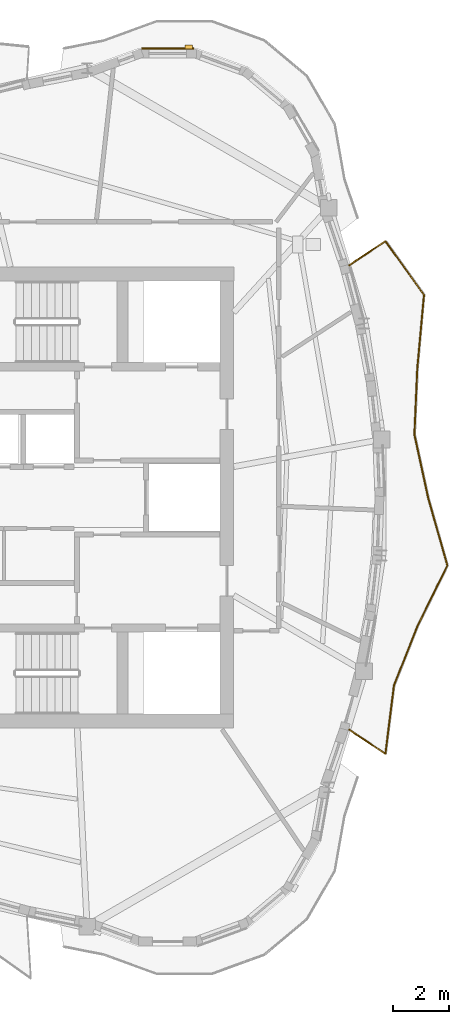
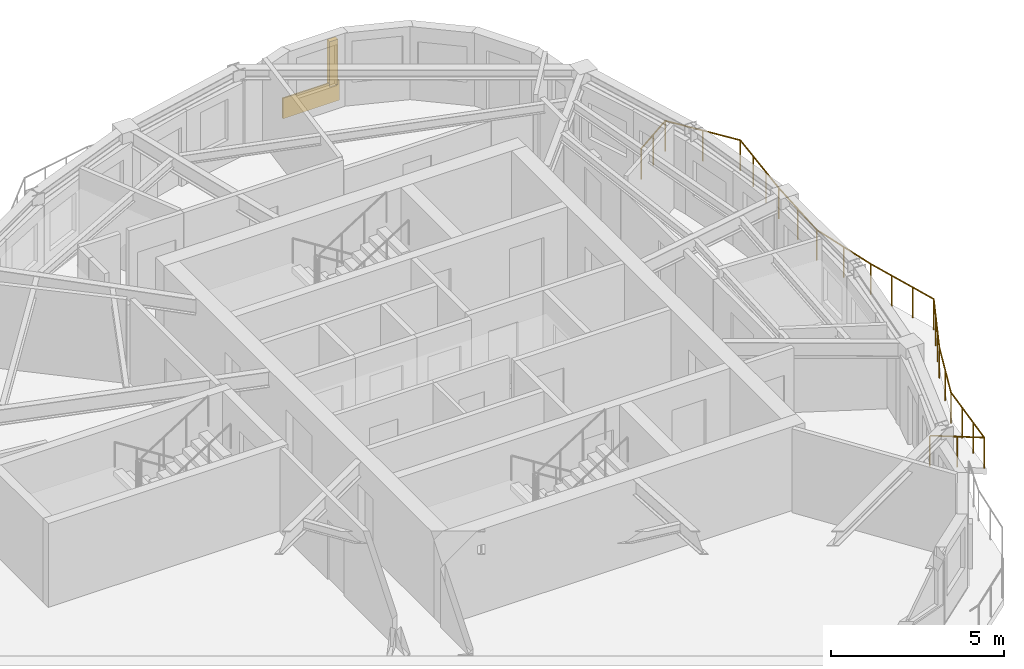
# One storey, part 11 of 12: 1 covering, 1 railing, 1 shading device.
"""IFC4 building model written with IfcOpenShell, lengths in metres."""

from ifc_helpers import new_model, si_unit, direction, frame, origin, origin_2d, place, context, subcontext, project, spatial, rectangle, circle, extrude, source, transform, mapped, material, layer, layer_set, type_object, element, save


model = new_model("IFC4")

# Units and contexts
model_context = context("Model", 3, precision=1e-05, world=origin(), true_north=direction((0.0, 1.0)))
body_context = subcontext(model_context, "Body", "Model", "MODEL_VIEW")
ifc_project = project(units=[si_unit("LENGTHUNIT", "METRE"), si_unit("AREAUNIT", "SQUARE_METRE"), si_unit("VOLUMEUNIT", "CUBIC_METRE"), si_unit("PLANEANGLEUNIT", "RADIAN"), si_unit("MASSUNIT", "GRAM", prefix="KILO")], contexts=[model_context])

# Site, building, storey
site_placement = place(None, origin())
site = spatial("IfcSite", under=ifc_project, at=site_placement, CompositionType="ELEMENT")
building_placement = place(site_placement, origin())
building = spatial("IfcBuilding", under=site, at=building_placement, Name="Qafzar Sky-Pleat Residences", CompositionType="ELEMENT")
storey_placement = place(building_placement, frame((0.0, 0.0, 224.39990234375)))
storey = spatial("IfcBuildingStorey", under=building, at=storey_placement, Name="L67", CompositionType="ELEMENT", Elevation=224.39990234375)

# Shading device
ifc_material_1 = material(Name="Honed Riyadh limestone solar fin", Category="masonry")
ifc_layer_1 = layer(ifc_material_1, 0.139892578125)
ifc_layer_set_1 = layer_set([ifc_layer_1], Name="Honed Riyadh limestone solar fin")
shading_device_type = type_object("IfcShadingDeviceType", Name="SHD-FIN-STONE", PredefinedType="SHUTTER", material=ifc_layer_set_1)
shared_shape_1 = source(origin(), body_context, "Body", "SweptSolid", [
    extrude(rectangle(XDim=0.139892578125, YDim=0.280029296875, at=origin_2d()), origin(), (0.0, 0.0, 1.0), 1.60009765625),
])
shading_device_placement = place(storey_placement, frame((34.777587890625, 42.208251953125, 0.60009765625), z_axis=(0.0, 0.0, 1.0), x_axis=(0.0, 1.0, 0.0)))
element("IfcShadingDevice", 1, at=shading_device_placement, inside=storey, type_object=shading_device_type, Name="L67 Limestone Solar Fin 37", PredefinedType="SHUTTER", context=body_context, shape_type="MappedRepresentation", body=[
    mapped(shared_shape_1, transform((0.0, 0.0, 0.0), x_axis=(1.0, 0.0, 0.0), y_axis=(0.0, 1.0, 0.0), z_axis=(0.0, 0.0, 1.0), scale=1.0)),
])

# Covering
ifc_material_2 = material(Name="Honed Riyadh Tuwaiq limestone cladding", Category="masonry")
ifc_layer_2 = layer(ifc_material_2, 0.044921875)
ifc_layer_set_2 = layer_set([ifc_layer_2], Name="Honed Riyadh Tuwaiq limestone cladding")
covering_type = type_object("IfcCoveringType", Name="COV-CLAD-STONE", PredefinedType="CLADDING", material=ifc_layer_set_2)
shared_shape_2 = source(origin(), body_context, "Body", "SweptSolid", [
    extrude(rectangle(XDim=1.88134765625, YDim=0.044921875, at=origin_2d()), origin(), (0.0, 0.0, 1.0), 0.719970703125),
])
covering_placement = place(storey_placement, frame((34.0224609375, 42.165283203125, 0.02001953125), z_axis=(0.0, 0.0, 1.0), x_axis=(-1.0, 0.0, 0.0)))
element("IfcCovering", 2, at=covering_placement, inside=storey, type_object=covering_type, Name="L67 Riyadh Limestone Spandrel Cladding 37", PredefinedType="CLADDING", context=body_context, shape_type="MappedRepresentation", body=[
    mapped(shared_shape_2, transform((0.0, 0.0, 0.0), x_axis=(1.0, 0.0, 0.0), y_axis=(0.0, 1.0, 0.0), z_axis=(0.0, 0.0, 1.0), scale=1.0)),
])

# Railing
ifc_material_3 = material(Name="Laminated glass and bronze steel balustrade", Category="steel")
railing_type = type_object("IfcRailingType", Name="RAIL-BAL-1100", PredefinedType="BALUSTRADE", material=ifc_material_3)
shared_shape_3 = source(origin(), body_context, "Body", "SweptSolid", [
    extrude(circle(Radius=0.02392578125, at=origin_2d()), frame((0.0, 0.0, 1.076171875), z_axis=(0.832430893793, -0.554128872248, 0.0), x_axis=(0.554128872248, 0.832430893793, 0.0)), (0.0, 0.0, 1.0), 1.578125),
    extrude(circle(Radius=0.02392578125, at=origin_2d()), frame((1.313720703125, -0.87451171875, 1.076171875), z_axis=(0.123317747396, 0.992367237053, 0.0), x_axis=(-0.992367237053, 0.123317747396, 0.0)), (0.0, 0.0, 1.0), 2.47265625),
    extrude(circle(Radius=0.02392578125, at=origin_2d()), frame((1.61865234375, 1.579345703125, 1.076171875), z_axis=(0.367564550972, 0.929998011218, 0.0), x_axis=(-0.929998011218, 0.367564550972, 0.0)), (0.0, 0.0, 1.0), 2.290283203125),
    extrude(circle(Radius=0.02392578125, at=origin_2d()), frame((2.46044921875, 3.709228515625, 1.076171875), z_axis=(0.441781559588, 0.897122652488, 0.0), x_axis=(-0.897122652488, 0.441781559588, 0.0)), (0.0, 0.0, 1.0), 2.44873046875),
    extrude(circle(Radius=0.02392578125, at=origin_2d()), frame((3.542236328125, 5.906005859375, 1.076171875), z_axis=(-0.272944830922, 0.962029687314, 0.0), x_axis=(-0.962029687314, -0.272944830922, 0.0)), (0.0, 0.0, 1.0), 2.5419921875),
    extrude(circle(Radius=0.02392578125, at=origin_2d()), frame((2.848388671875, 8.3515625, 1.076171875), z_axis=(-0.212534582308, 0.977153545418, 0.0), x_axis=(-0.977153545418, -0.212534582308, 0.0)), (0.0, 0.0, 1.0), 2.318115234375),
    extrude(circle(Radius=0.02392578125, at=origin_2d()), frame((2.355712890625, 10.61669921875, 1.076171875), z_axis=(0.044016044327, 0.99903082427, 0.0), x_axis=(-0.99903082427, 0.044016044327, 0.0)), (0.0, 0.0, 1.0), 2.37939453125),
    extrude(circle(Radius=0.02392578125, at=origin_2d()), frame((2.46044921875, 12.993896484375, 1.076171875), z_axis=(0.090643390845, 0.995883414711, 0.0), x_axis=(-0.995883414711, 0.090643390845, 0.0)), (0.0, 0.0, 1.0), 2.658447265625),
    extrude(circle(Radius=0.02392578125, at=origin_2d()), frame((2.701416015625, 15.641357421875, 1.076171875), z_axis=(-0.582526840805, 0.812811466296, 0.0), x_axis=(-0.812811466296, -0.582526840805, 0.0)), (0.0, 0.0, 1.0), 2.382080078125),
    extrude(circle(Radius=0.02392578125, at=origin_2d()), frame((1.313720703125, 17.57763671875, 1.076171875), z_axis=(-0.832430893793, -0.554128872248, 0.0), x_axis=(0.554128872248, -0.832430893793, 0.0)), (0.0, 0.0, 1.0), 1.578125),
    extrude(circle(Radius=0.02099609375, at=origin_2d()), origin(), (0.0, 0.0, 1.0), 1.052001953125),
    extrude(circle(Radius=0.02099609375, at=origin_2d()), frame((0.65673828125, -0.437255859375, 0.0)), (0.0, 0.0, 1.0), 1.052001953125),
    extrude(circle(Radius=0.02099609375, at=origin_2d()), frame((1.313720703125, -0.87451171875, 0.0)), (0.0, 0.0, 1.0), 1.052001953125),
    extrude(circle(Radius=0.02099609375, at=origin_2d()), frame((1.415283203125, -0.056640625, 0.0)), (0.0, 0.0, 1.0), 1.052001953125),
    extrude(circle(Radius=0.02099609375, at=origin_2d()), frame((1.51708984375, 0.761474609375, 0.0)), (0.0, 0.0, 1.0), 1.052001953125),
    extrude(circle(Radius=0.02099609375, at=origin_2d()), frame((1.61865234375, 1.579345703125, 0.0)), (0.0, 0.0, 1.0), 1.052001953125),
    extrude(circle(Radius=0.02099609375, at=origin_2d()), frame((2.03955078125, 2.644287109375, 0.0)), (0.0, 0.0, 1.0), 1.052001953125),
    extrude(circle(Radius=0.02099609375, at=origin_2d()), frame((2.46044921875, 3.709228515625, 0.0)), (0.0, 0.0, 1.0), 1.052001953125),
    extrude(circle(Radius=0.02099609375, at=origin_2d()), frame((2.821044921875, 4.44140625, 0.0)), (0.0, 0.0, 1.0), 1.052001953125),
    extrude(circle(Radius=0.02099609375, at=origin_2d()), frame((3.181640625, 5.173828125, 0.0)), (0.0, 0.0, 1.0), 1.052001953125),
    extrude(circle(Radius=0.02099609375, at=origin_2d()), frame((3.542236328125, 5.906005859375, 0.0)), (0.0, 0.0, 1.0), 1.052001953125),
    extrude(circle(Radius=0.02099609375, at=origin_2d()), frame((3.31103515625, 6.72119140625, 0.0)), (0.0, 0.0, 1.0), 1.052001953125),
    extrude(circle(Radius=0.02099609375, at=origin_2d()), frame((3.07958984375, 7.536376953125, 0.0)), (0.0, 0.0, 1.0), 1.052001953125),
    extrude(circle(Radius=0.02099609375, at=origin_2d()), frame((2.848388671875, 8.3515625, 0.0)), (0.0, 0.0, 1.0), 1.052001953125),
    extrude(circle(Radius=0.02099609375, at=origin_2d()), frame((2.60205078125, 9.484130859375, 0.0)), (0.0, 0.0, 1.0), 1.052001953125),
    extrude(circle(Radius=0.02099609375, at=origin_2d()), frame((2.355712890625, 10.61669921875, 0.0)), (0.0, 0.0, 1.0), 1.052001953125),
    extrude(circle(Radius=0.02099609375, at=origin_2d()), frame((2.408203125, 11.80517578125, 0.0)), (0.0, 0.0, 1.0), 1.052001953125),
    extrude(circle(Radius=0.02099609375, at=origin_2d()), frame((2.46044921875, 12.993896484375, 0.0)), (0.0, 0.0, 1.0), 1.052001953125),
    extrude(circle(Radius=0.02099609375, at=origin_2d()), frame((2.540771484375, 13.87646484375, 0.0)), (0.0, 0.0, 1.0), 1.052001953125),
    extrude(circle(Radius=0.02099609375, at=origin_2d()), frame((2.62109375, 14.7587890625, 0.0)), (0.0, 0.0, 1.0), 1.052001953125),
    extrude(circle(Radius=0.02099609375, at=origin_2d()), frame((2.701416015625, 15.641357421875, 0.0)), (0.0, 0.0, 1.0), 1.052001953125),
    extrude(circle(Radius=0.02099609375, at=origin_2d()), frame((2.007568359375, 16.609375, 0.0)), (0.0, 0.0, 1.0), 1.052001953125),
    extrude(circle(Radius=0.02099609375, at=origin_2d()), frame((1.313720703125, 17.57763671875, 0.0)), (0.0, 0.0, 1.0), 1.052001953125),
    extrude(circle(Radius=0.02099609375, at=origin_2d()), frame((0.65673828125, 17.140380859375, 0.0)), (0.0, 0.0, 1.0), 1.052001953125),
    extrude(circle(Radius=0.02099609375, at=origin_2d()), frame((0.0, 16.703125, 0.0)), (0.0, 0.0, 1.0), 1.052001953125),
])
railing_placement = place(storey_placement, frame((40.5458984375, 17.6484375, 0.0)))
element("IfcRailing", 3, at=railing_placement, inside=storey, type_object=railing_type, Name="L67 Pleated Balcony 1 Balustrade", PredefinedType="BALUSTRADE", context=body_context, shape_type="MappedRepresentation", body=[
    mapped(shared_shape_3, transform((0.0, 0.0, 0.0), x_axis=(1.0, 0.0, 0.0), y_axis=(0.0, 1.0, 0.0), z_axis=(0.0, 0.0, 1.0), scale=1.0)),
])

save(model, "model.ifc")
